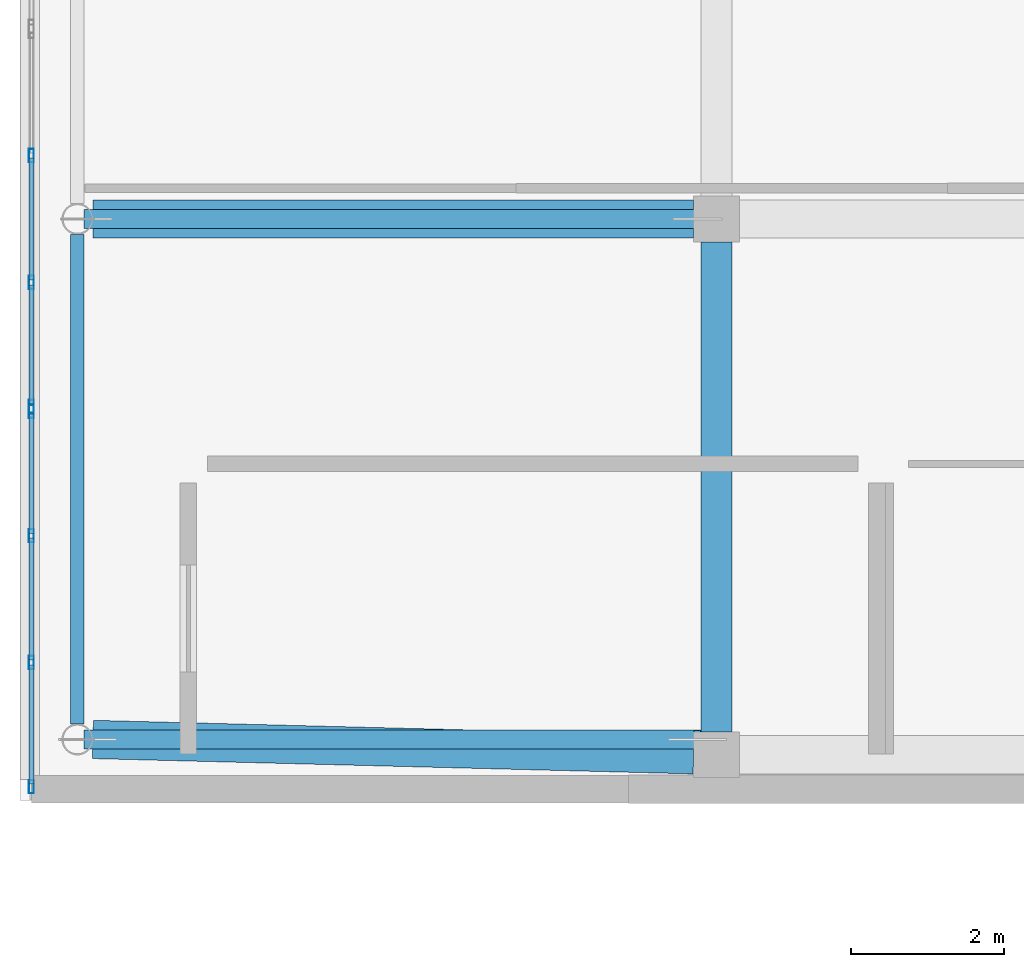
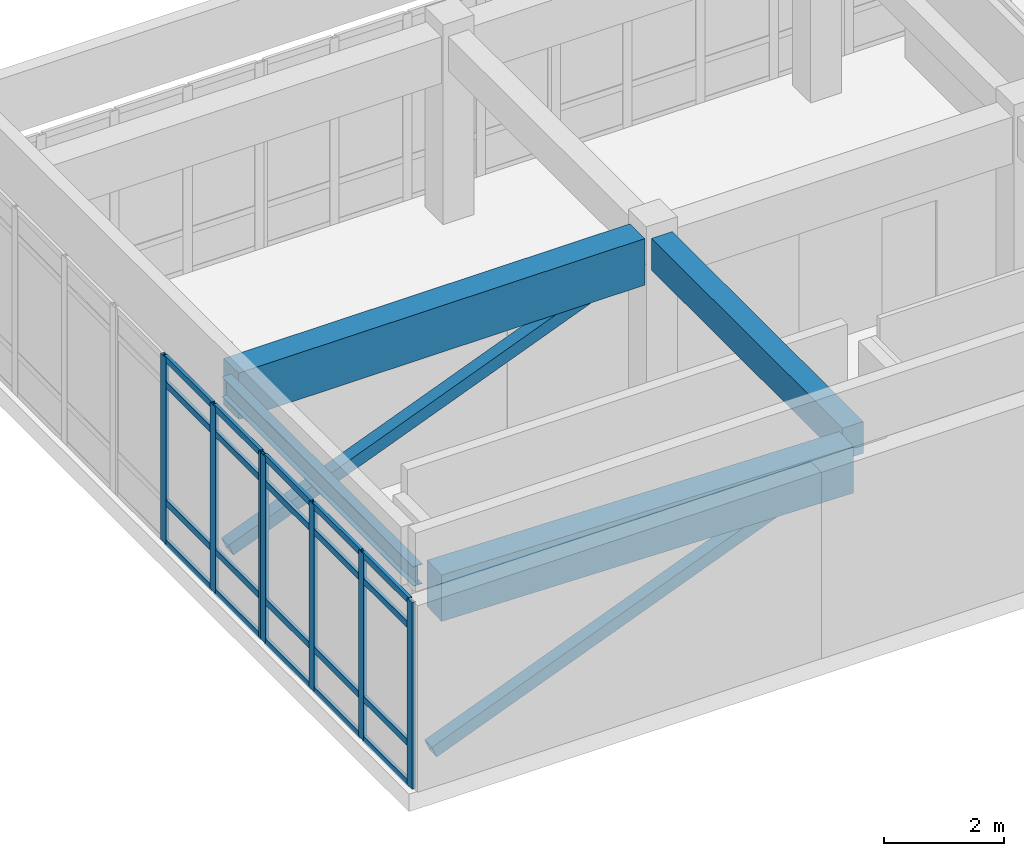
# One storey, part 3 of 14: 29 members, 4 beams, 2 elements without a shape of their own.
"""IFC4 building model written with IfcOpenShell, lengths in metres."""

from ifc_helpers import new_model, si_unit, direction, frame, origin, origin_2d, place, context, subcontext, project, spatial, rectangle, hollow_rectangle, i_section, extrude, material, layer, layer_set, material_profile, profile_set, type_object, element, aggregate, save


model = new_model("IFC4")

# Units and contexts
model_context = context("Model", 3, precision=1e-05, world=origin(), true_north=direction((0.0, 1.0)))
body_context = subcontext(model_context, "Body", "Model", "MODEL_VIEW")
ifc_project = project(units=[si_unit("LENGTHUNIT", "METRE"), si_unit("AREAUNIT", "SQUARE_METRE"), si_unit("VOLUMEUNIT", "CUBIC_METRE"), si_unit("PLANEANGLEUNIT", "RADIAN"), si_unit("MASSUNIT", "GRAM", prefix="KILO")], contexts=[model_context])

# Site, building, storey
site_placement = place(None, origin())
site = spatial("IfcSite", under=ifc_project, at=site_placement, CompositionType="ELEMENT")
building_placement = place(site_placement, origin())
building = spatial("IfcBuilding", under=site, at=building_placement, Name="Valcora Specialist Clinic", CompositionType="ELEMENT")
storey_placement = place(building_placement, frame((0.0, 0.0, 21.760009765625)))
storey = spatial("IfcBuildingStorey", under=building, at=storey_placement, Name="L05", CompositionType="ELEMENT", Elevation=21.760009765625)

# Beams
ifc_material_1 = material(Name="Steel ASTM A992 Grade 50", Category="steel")
ifc_material_profile_1 = material_profile(ifc_material_1, i_section(OverallWidth=0.177978515625, OverallDepth=0.406005859375, WebThickness=0.008056640625, FlangeThickness=0.012939453125, at=origin_2d()), Name="ST-IR-410X180")
ifc_profile_set_1 = profile_set([ifc_material_profile_1], Name="Steel ASTM A992 Grade 50")
beam_type_1 = type_object("IfcBeamType", Name="TY-BM-IR410", PredefinedType="SPANDREL", material=ifc_profile_set_1)
beam_1_placement = place(storey_placement, frame((0.75, 8.60302734375, 3.60302734375), z_axis=(0.0, 1.0, 0.0), x_axis=(-1.0, 0.0, 0.0)))
element("IfcBeam", 1, at=beam_1_placement, inside=storey, type_object=beam_type_1, Name="Beam BM-L05-1133", PredefinedType="SPANDREL", context=body_context, shape_type="SweptSolid", body=[
    extrude(i_section(OverallWidth=0.177978515625, OverallDepth=0.406005859375, WebThickness=0.008056640625, FlangeThickness=0.012939453125, at=origin_2d()), origin(), (0.0, 0.0, 1.0), 6.39404296875),
])
ifc_material_2 = material(Name="Concrete C40/50", Category="concrete")
ifc_material_profile_2 = material_profile(ifc_material_2, rectangle(XDim=0.39990234375, YDim=0.64990234375, at=origin_2d()), Name="RC-BM-400X650")
ifc_profile_set_2 = profile_set([ifc_material_profile_2], Name="Concrete C40/50")
beam_type_2 = type_object("IfcBeamType", Name="TY-BM-RC400X650", PredefinedType="BEAM", material=ifc_profile_set_2)
beam_2_placement = place(storey_placement, frame((9.10009765625, 8.5, 3.485107421875), z_axis=(0.0, 1.0, 0.0), x_axis=(-1.0, 0.0, 0.0)))
element("IfcBeam", 2, at=beam_2_placement, inside=storey, type_object=beam_type_2, Name="Beam BM-L05-1135", PredefinedType="BEAM", context=body_context, shape_type="SweptSolid", body=[
    extrude(rectangle(XDim=0.39990234375, YDim=0.64990234375, at=origin_2d()), origin(), (0.0, 0.0, 1.0), 6.39990234375),
])
ifc_material_profile_3 = material_profile(ifc_material_2, rectangle(XDim=0.5, YDim=0.949951171875, at=origin_2d()), Name="RC-BM-500X950")
ifc_profile_set_3 = profile_set([ifc_material_profile_3], Name="Concrete C40/50")
beam_type_3 = type_object("IfcBeamType", Name="TY-BM-TR500X950", PredefinedType="BEAM", material=ifc_profile_set_3)
beam_3_placement = place(storey_placement, frame((0.952880859375, 8.39990234375, 3.3349609375), z_axis=(0.99967552548, -0.025472411654, 0.0), x_axis=(0.025472411654, 0.99967552548, 0.0)))
element("IfcBeam", 3, at=beam_3_placement, inside=storey, type_object=beam_type_3, Name="Beam BM-L05-1115", PredefinedType="BEAM", context=body_context, shape_type="SweptSolid", body=[
    extrude(rectangle(XDim=0.5, YDim=0.949951171875, at=origin_2d()), origin(), (0.0, 0.0, 1.0), 7.849609375),
])
beam_4_placement = place(storey_placement, frame((0.952880859375, 15.199951171875, 3.3349609375), z_axis=(1.0, 0.0, 0.0), x_axis=(0.0, 1.0, 0.0)))
element("IfcBeam", 4, at=beam_4_placement, inside=storey, type_object=beam_type_3, Name="Beam BM-L05-1121", PredefinedType="BEAM", context=body_context, shape_type="SweptSolid", body=[
    extrude(rectangle(XDim=0.5, YDim=0.949951171875, at=origin_2d()), origin(), (0.0, 0.0, 1.0), 7.84716796875),
])

# Curtain wall, members
ifc_material_3 = material(Name="Anodized Bronze Aluminium 6063-T6", Category="aluminium")
ifc_layer = layer(ifc_material_3, 0.175048828125)
ifc_layer_set = layer_set([ifc_layer], Name="Anodized Bronze Aluminium 6063-T6")
curtain_wall_type = type_object("IfcCurtainWallType", Name="TY-CW-V5F15", PredefinedType="NOTDEFINED", material=ifc_layer_set)
curtain_wall_1_placement = place(storey_placement, origin())
curtain_wall_1 = element("IfcCurtainWall", 5, at=curtain_wall_1_placement, inside=storey, type_object=curtain_wall_type, Name="Curtain wall CW-L05-175", PredefinedType="NOTDEFINED")
ifc_material_profile_4 = material_profile(ifc_material_3, hollow_rectangle(XDim=0.06494140625, YDim=0.175048828125, WallThickness=0.00390625, at=origin_2d()), Name="AL-MUL-65X175")
ifc_profile_set_4 = profile_set([ifc_material_profile_4], Name="Anodized Bronze Aluminium 6063-T6")
member_type_1 = type_object("IfcMemberType", Name="TY-CWM-65X175", PredefinedType="MULLION", material=ifc_profile_set_4)
member_1_placement = place(storey_placement, frame((0.14990234375, 7.782470703125, 0.0), z_axis=(0.0, 0.0, 1.0), x_axis=(-1.0, 0.0, 0.0)))
member_1 = element("IfcMember", 6, at=member_1_placement, type_object=member_type_1, Name="CW-V5F-15 mullion 1", PredefinedType="MULLION", context=body_context, shape_type="SweptSolid", body=[
    extrude(hollow_rectangle(XDim=0.06494140625, YDim=0.175048828125, WallThickness=0.00390625, at=origin_2d()), origin(), (0.0, 0.0, 1.0), 3.81005859375),
])
member_2_placement = place(storey_placement, frame((0.14990234375, 9.405517578125, 0.0), z_axis=(0.0, 0.0, 1.0), x_axis=(-1.0, 0.0, 0.0)))
member_2 = element("IfcMember", 7, at=member_2_placement, type_object=member_type_1, Name="CW-V5F-15 mullion 2", PredefinedType="MULLION", context=body_context, shape_type="SweptSolid", body=[
    extrude(hollow_rectangle(XDim=0.06494140625, YDim=0.175048828125, WallThickness=0.00390625, at=origin_2d()), origin(), (0.0, 0.0, 1.0), 3.81005859375),
])
member_3_placement = place(storey_placement, frame((0.14990234375, 11.06103515625, 0.0), z_axis=(0.0, 0.0, 1.0), x_axis=(-1.0, 0.0, 0.0)))
member_3 = element("IfcMember", 8, at=member_3_placement, type_object=member_type_1, Name="CW-V5F-15 mullion 3", PredefinedType="MULLION", context=body_context, shape_type="SweptSolid", body=[
    extrude(hollow_rectangle(XDim=0.06494140625, YDim=0.175048828125, WallThickness=0.00390625, at=origin_2d()), origin(), (0.0, 0.0, 1.0), 3.81005859375),
])
member_4_placement = place(storey_placement, frame((0.14990234375, 12.68408203125, 0.0), z_axis=(0.0, 0.0, 1.0), x_axis=(-1.0, 0.0, 0.0)))
member_4 = element("IfcMember", 9, at=member_4_placement, type_object=member_type_1, Name="CW-V5F-15 mullion 4", PredefinedType="MULLION", context=body_context, shape_type="SweptSolid", body=[
    extrude(hollow_rectangle(XDim=0.06494140625, YDim=0.175048828125, WallThickness=0.00390625, at=origin_2d()), origin(), (0.0, 0.0, 1.0), 3.81005859375),
])

curtain_wall_2_placement = place(storey_placement, origin())
curtain_wall_2 = element("IfcCurtainWall", 10, at=curtain_wall_2_placement, inside=storey, type_object=curtain_wall_type, Name="Curtain wall CW-L05-176", PredefinedType="NOTDEFINED")
member_5_placement = place(storey_placement, frame((0.14990234375, 12.749267578125, 0.0), z_axis=(0.0, 0.0, 1.0), x_axis=(-1.0, 0.0, 0.0)))
member_5 = element("IfcMember", 11, at=member_5_placement, type_object=member_type_1, Name="CW-V5F-15 mullion 1", PredefinedType="MULLION", context=body_context, shape_type="SweptSolid", body=[
    extrude(hollow_rectangle(XDim=0.06494140625, YDim=0.175048828125, WallThickness=0.00390625, at=origin_2d()), origin(), (0.0, 0.0, 1.0), 3.81005859375),
])
member_6_placement = place(storey_placement, frame((0.14990234375, 14.372314453125, 0.0), z_axis=(0.0, 0.0, 1.0), x_axis=(-1.0, 0.0, 0.0)))
member_6 = element("IfcMember", 12, at=member_6_placement, type_object=member_type_1, Name="CW-V5F-15 mullion 2", PredefinedType="MULLION", context=body_context, shape_type="SweptSolid", body=[
    extrude(hollow_rectangle(XDim=0.06494140625, YDim=0.175048828125, WallThickness=0.00390625, at=origin_2d()), origin(), (0.0, 0.0, 1.0), 3.81005859375),
])
member_7_placement = place(storey_placement, frame((0.14990234375, 16.02783203125, 0.0), z_axis=(0.0, 0.0, 1.0), x_axis=(-1.0, 0.0, 0.0)))
member_7 = element("IfcMember", 13, at=member_7_placement, type_object=member_type_1, Name="CW-V5F-15 mullion 3", PredefinedType="MULLION", context=body_context, shape_type="SweptSolid", body=[
    extrude(hollow_rectangle(XDim=0.06494140625, YDim=0.175048828125, WallThickness=0.00390625, at=origin_2d()), origin(), (0.0, 0.0, 1.0), 3.81005859375),
])

# Member
ifc_material_profile_5 = material_profile(ifc_material_3, hollow_rectangle(XDim=0.06494140625, YDim=0.1298828125, WallThickness=0.00390625, at=origin_2d()), Name="AL-TRN-65X130")
ifc_profile_set_5 = profile_set([ifc_material_profile_5], Name="Anodized Bronze Aluminium 6063-T6")
member_type_2 = type_object("IfcMemberType", Name="TY-CWT-65X130", PredefinedType="USERDEFINED", material=ifc_profile_set_5)
member_8_placement = place(storey_placement, frame((0.14990234375, 7.81494140625, 0.032470703125), z_axis=(0.0, 1.0, 0.0), x_axis=(-1.0, 0.0, 0.0)))
member_8 = element("IfcMember", 14, at=member_8_placement, type_object=member_type_2, Name="CW-V5F-15 transom 1.1", ObjectType="TRANSOM", PredefinedType="USERDEFINED", context=body_context, shape_type="SweptSolid", body=[
    extrude(hollow_rectangle(XDim=0.06494140625, YDim=0.1298828125, WallThickness=0.00390625, at=origin_2d()), origin(), (0.0, 0.0, 1.0), 1.55810546875),
])

member_9_placement = place(storey_placement, frame((0.14990234375, 7.81494140625, 0.85009765625), z_axis=(0.0, 1.0, 0.0), x_axis=(-1.0, 0.0, 0.0)))
member_9 = element("IfcMember", 15, at=member_9_placement, type_object=member_type_2, Name="CW-V5F-15 transom 1.2", ObjectType="TRANSOM", PredefinedType="USERDEFINED", context=body_context, shape_type="SweptSolid", body=[
    extrude(hollow_rectangle(XDim=0.06494140625, YDim=0.1298828125, WallThickness=0.00390625, at=origin_2d()), origin(), (0.0, 0.0, 1.0), 1.55810546875),
])

member_10_placement = place(storey_placement, frame((0.14990234375, 7.81494140625, 3.260009765625), z_axis=(0.0, 1.0, 0.0), x_axis=(-1.0, 0.0, 0.0)))
member_10 = element("IfcMember", 16, at=member_10_placement, type_object=member_type_2, Name="CW-V5F-15 transom 1.3", ObjectType="TRANSOM", PredefinedType="USERDEFINED", context=body_context, shape_type="SweptSolid", body=[
    extrude(hollow_rectangle(XDim=0.06494140625, YDim=0.1298828125, WallThickness=0.00390625, at=origin_2d()), origin(), (0.0, 0.0, 1.0), 1.55810546875),
])

member_11_placement = place(storey_placement, frame((0.14990234375, 7.81494140625, 3.777587890625), z_axis=(0.0, 1.0, 0.0), x_axis=(-1.0, 0.0, 0.0)))
member_11 = element("IfcMember", 17, at=member_11_placement, type_object=member_type_2, Name="CW-V5F-15 transom 1.4", ObjectType="TRANSOM", PredefinedType="USERDEFINED", context=body_context, shape_type="SweptSolid", body=[
    extrude(hollow_rectangle(XDim=0.06494140625, YDim=0.1298828125, WallThickness=0.00390625, at=origin_2d()), origin(), (0.0, 0.0, 1.0), 1.55810546875),
])

member_12_placement = place(storey_placement, frame((0.14990234375, 9.43798828125, 0.032470703125), z_axis=(0.0, 1.0, 0.0), x_axis=(-1.0, 0.0, 0.0)))
member_12 = element("IfcMember", 18, at=member_12_placement, type_object=member_type_2, Name="CW-V5F-15 transom 2.1", ObjectType="TRANSOM", PredefinedType="USERDEFINED", context=body_context, shape_type="SweptSolid", body=[
    extrude(hollow_rectangle(XDim=0.06494140625, YDim=0.1298828125, WallThickness=0.00390625, at=origin_2d()), origin(), (0.0, 0.0, 1.0), 1.590576171875),
])

member_13_placement = place(storey_placement, frame((0.14990234375, 9.43798828125, 0.85009765625), z_axis=(0.0, 1.0, 0.0), x_axis=(-1.0, 0.0, 0.0)))
member_13 = element("IfcMember", 19, at=member_13_placement, type_object=member_type_2, Name="CW-V5F-15 transom 2.2", ObjectType="TRANSOM", PredefinedType="USERDEFINED", context=body_context, shape_type="SweptSolid", body=[
    extrude(hollow_rectangle(XDim=0.06494140625, YDim=0.1298828125, WallThickness=0.00390625, at=origin_2d()), origin(), (0.0, 0.0, 1.0), 1.590576171875),
])

member_14_placement = place(storey_placement, frame((0.14990234375, 9.43798828125, 3.260009765625), z_axis=(0.0, 1.0, 0.0), x_axis=(-1.0, 0.0, 0.0)))
member_14 = element("IfcMember", 20, at=member_14_placement, type_object=member_type_2, Name="CW-V5F-15 transom 2.3", ObjectType="TRANSOM", PredefinedType="USERDEFINED", context=body_context, shape_type="SweptSolid", body=[
    extrude(hollow_rectangle(XDim=0.06494140625, YDim=0.1298828125, WallThickness=0.00390625, at=origin_2d()), origin(), (0.0, 0.0, 1.0), 1.590576171875),
])

member_15_placement = place(storey_placement, frame((0.14990234375, 9.43798828125, 3.777587890625), z_axis=(0.0, 1.0, 0.0), x_axis=(-1.0, 0.0, 0.0)))
member_15 = element("IfcMember", 21, at=member_15_placement, type_object=member_type_2, Name="CW-V5F-15 transom 2.4", ObjectType="TRANSOM", PredefinedType="USERDEFINED", context=body_context, shape_type="SweptSolid", body=[
    extrude(hollow_rectangle(XDim=0.06494140625, YDim=0.1298828125, WallThickness=0.00390625, at=origin_2d()), origin(), (0.0, 0.0, 1.0), 1.590576171875),
])

member_16_placement = place(storey_placement, frame((0.14990234375, 11.09375, 0.032470703125), z_axis=(0.0, 1.0, 0.0), x_axis=(-1.0, 0.0, 0.0)))
member_16 = element("IfcMember", 22, at=member_16_placement, type_object=member_type_2, Name="CW-V5F-15 transom 3.1", ObjectType="TRANSOM", PredefinedType="USERDEFINED", context=body_context, shape_type="SweptSolid", body=[
    extrude(hollow_rectangle(XDim=0.06494140625, YDim=0.1298828125, WallThickness=0.00390625, at=origin_2d()), origin(), (0.0, 0.0, 1.0), 1.557861328125),
])

member_17_placement = place(storey_placement, frame((0.14990234375, 11.09375, 0.85009765625), z_axis=(0.0, 1.0, 0.0), x_axis=(-1.0, 0.0, 0.0)))
member_17 = element("IfcMember", 23, at=member_17_placement, type_object=member_type_2, Name="CW-V5F-15 transom 3.2", ObjectType="TRANSOM", PredefinedType="USERDEFINED", context=body_context, shape_type="SweptSolid", body=[
    extrude(hollow_rectangle(XDim=0.06494140625, YDim=0.1298828125, WallThickness=0.00390625, at=origin_2d()), origin(), (0.0, 0.0, 1.0), 1.557861328125),
])

member_18_placement = place(storey_placement, frame((0.14990234375, 11.09375, 3.260009765625), z_axis=(0.0, 1.0, 0.0), x_axis=(-1.0, 0.0, 0.0)))
member_18 = element("IfcMember", 24, at=member_18_placement, type_object=member_type_2, Name="CW-V5F-15 transom 3.3", ObjectType="TRANSOM", PredefinedType="USERDEFINED", context=body_context, shape_type="SweptSolid", body=[
    extrude(hollow_rectangle(XDim=0.06494140625, YDim=0.1298828125, WallThickness=0.00390625, at=origin_2d()), origin(), (0.0, 0.0, 1.0), 1.557861328125),
])

member_19_placement = place(storey_placement, frame((0.14990234375, 11.09375, 3.777587890625), z_axis=(0.0, 1.0, 0.0), x_axis=(-1.0, 0.0, 0.0)))
member_19 = element("IfcMember", 25, at=member_19_placement, type_object=member_type_2, Name="CW-V5F-15 transom 3.4", ObjectType="TRANSOM", PredefinedType="USERDEFINED", context=body_context, shape_type="SweptSolid", body=[
    extrude(hollow_rectangle(XDim=0.06494140625, YDim=0.1298828125, WallThickness=0.00390625, at=origin_2d()), origin(), (0.0, 0.0, 1.0), 1.557861328125),
])

aggregate(curtain_wall_1, [member_1, member_2, member_3, member_4, member_8, member_9, member_10, member_11, member_12, member_13, member_14, member_15, member_16, member_17, member_18, member_19])

member_20_placement = place(storey_placement, frame((0.14990234375, 12.78173828125, 0.032470703125), z_axis=(0.0, 1.0, 0.0), x_axis=(-1.0, 0.0, 0.0)))
member_20 = element("IfcMember", 26, at=member_20_placement, type_object=member_type_2, Name="CW-V5F-15 transom 1.1", ObjectType="TRANSOM", PredefinedType="USERDEFINED", context=body_context, shape_type="SweptSolid", body=[
    extrude(hollow_rectangle(XDim=0.06494140625, YDim=0.1298828125, WallThickness=0.00390625, at=origin_2d()), origin(), (0.0, 0.0, 1.0), 1.55810546875),
])

member_21_placement = place(storey_placement, frame((0.14990234375, 12.78173828125, 0.85009765625), z_axis=(0.0, 1.0, 0.0), x_axis=(-1.0, 0.0, 0.0)))
member_21 = element("IfcMember", 27, at=member_21_placement, type_object=member_type_2, Name="CW-V5F-15 transom 1.2", ObjectType="TRANSOM", PredefinedType="USERDEFINED", context=body_context, shape_type="SweptSolid", body=[
    extrude(hollow_rectangle(XDim=0.06494140625, YDim=0.1298828125, WallThickness=0.00390625, at=origin_2d()), origin(), (0.0, 0.0, 1.0), 1.55810546875),
])

member_22_placement = place(storey_placement, frame((0.14990234375, 12.78173828125, 3.260009765625), z_axis=(0.0, 1.0, 0.0), x_axis=(-1.0, 0.0, 0.0)))
member_22 = element("IfcMember", 28, at=member_22_placement, type_object=member_type_2, Name="CW-V5F-15 transom 1.3", ObjectType="TRANSOM", PredefinedType="USERDEFINED", context=body_context, shape_type="SweptSolid", body=[
    extrude(hollow_rectangle(XDim=0.06494140625, YDim=0.1298828125, WallThickness=0.00390625, at=origin_2d()), origin(), (0.0, 0.0, 1.0), 1.55810546875),
])

member_23_placement = place(storey_placement, frame((0.14990234375, 12.78173828125, 3.777587890625), z_axis=(0.0, 1.0, 0.0), x_axis=(-1.0, 0.0, 0.0)))
member_23 = element("IfcMember", 29, at=member_23_placement, type_object=member_type_2, Name="CW-V5F-15 transom 1.4", ObjectType="TRANSOM", PredefinedType="USERDEFINED", context=body_context, shape_type="SweptSolid", body=[
    extrude(hollow_rectangle(XDim=0.06494140625, YDim=0.1298828125, WallThickness=0.00390625, at=origin_2d()), origin(), (0.0, 0.0, 1.0), 1.55810546875),
])

member_24_placement = place(storey_placement, frame((0.14990234375, 14.40478515625, 0.032470703125), z_axis=(0.0, 1.0, 0.0), x_axis=(-1.0, 0.0, 0.0)))
member_24 = element("IfcMember", 30, at=member_24_placement, type_object=member_type_2, Name="CW-V5F-15 transom 2.1", ObjectType="TRANSOM", PredefinedType="USERDEFINED", context=body_context, shape_type="SweptSolid", body=[
    extrude(hollow_rectangle(XDim=0.06494140625, YDim=0.1298828125, WallThickness=0.00390625, at=origin_2d()), origin(), (0.0, 0.0, 1.0), 1.590576171875),
])

member_25_placement = place(storey_placement, frame((0.14990234375, 14.40478515625, 0.85009765625), z_axis=(0.0, 1.0, 0.0), x_axis=(-1.0, 0.0, 0.0)))
member_25 = element("IfcMember", 31, at=member_25_placement, type_object=member_type_2, Name="CW-V5F-15 transom 2.2", ObjectType="TRANSOM", PredefinedType="USERDEFINED", context=body_context, shape_type="SweptSolid", body=[
    extrude(hollow_rectangle(XDim=0.06494140625, YDim=0.1298828125, WallThickness=0.00390625, at=origin_2d()), origin(), (0.0, 0.0, 1.0), 1.590576171875),
])

member_26_placement = place(storey_placement, frame((0.14990234375, 14.40478515625, 3.260009765625), z_axis=(0.0, 1.0, 0.0), x_axis=(-1.0, 0.0, 0.0)))
member_26 = element("IfcMember", 32, at=member_26_placement, type_object=member_type_2, Name="CW-V5F-15 transom 2.3", ObjectType="TRANSOM", PredefinedType="USERDEFINED", context=body_context, shape_type="SweptSolid", body=[
    extrude(hollow_rectangle(XDim=0.06494140625, YDim=0.1298828125, WallThickness=0.00390625, at=origin_2d()), origin(), (0.0, 0.0, 1.0), 1.590576171875),
])

member_27_placement = place(storey_placement, frame((0.14990234375, 14.40478515625, 3.777587890625), z_axis=(0.0, 1.0, 0.0), x_axis=(-1.0, 0.0, 0.0)))
member_27 = element("IfcMember", 33, at=member_27_placement, type_object=member_type_2, Name="CW-V5F-15 transom 2.4", ObjectType="TRANSOM", PredefinedType="USERDEFINED", context=body_context, shape_type="SweptSolid", body=[
    extrude(hollow_rectangle(XDim=0.06494140625, YDim=0.1298828125, WallThickness=0.00390625, at=origin_2d()), origin(), (0.0, 0.0, 1.0), 1.590576171875),
])

aggregate(curtain_wall_2, [member_5, member_6, member_7, member_20, member_21, member_22, member_23, member_24, member_25, member_26, member_27])

# Members
ifc_material_4 = material(Name="Steel ASTM A500 Grade C", Category="steel")
ifc_material_profile_6 = material_profile(ifc_material_4, hollow_rectangle(XDim=0.25, YDim=0.25, WallThickness=0.010009765625, at=origin_2d()), Name="ST-RHS-250X250X10")
ifc_profile_set_6 = profile_set([ifc_material_profile_6], Name="Steel ASTM A500 Grade C")
member_type_3 = type_object("IfcMemberType", Name="TY-MB-BR250", PredefinedType="BRACE", material=ifc_profile_set_6)
for number, where, z_axis, x_axis, name in (
    (34, (0.8798828125, 8.39990234375, 0.139892578125), (0.929995372444, 0.0, 0.367571227429), (0.0, 1.0, 0.0), "Cantilever diagonal brace MB-L05-0690"),
    (35, (0.8798828125, 15.199951171875, 0.139892578125), (0.929995372444, 0.0, 0.367571227429), (0.0, 1.0, 0.0), "Cantilever diagonal brace MB-L05-0694"),
):
    element("IfcMember", number, at=place(storey_placement, frame(where, z_axis=z_axis, x_axis=x_axis)), inside=storey, type_object=member_type_3, Name=name, PredefinedType="BRACE", context=body_context, shape_type="SweptSolid", body=[
        extrude(hollow_rectangle(XDim=0.25, YDim=0.25, WallThickness=0.010009765625, at=origin_2d()), origin(), (0.0, 0.0, 1.0), 8.570068359375),
    ])

save(model, "model.ifc")
